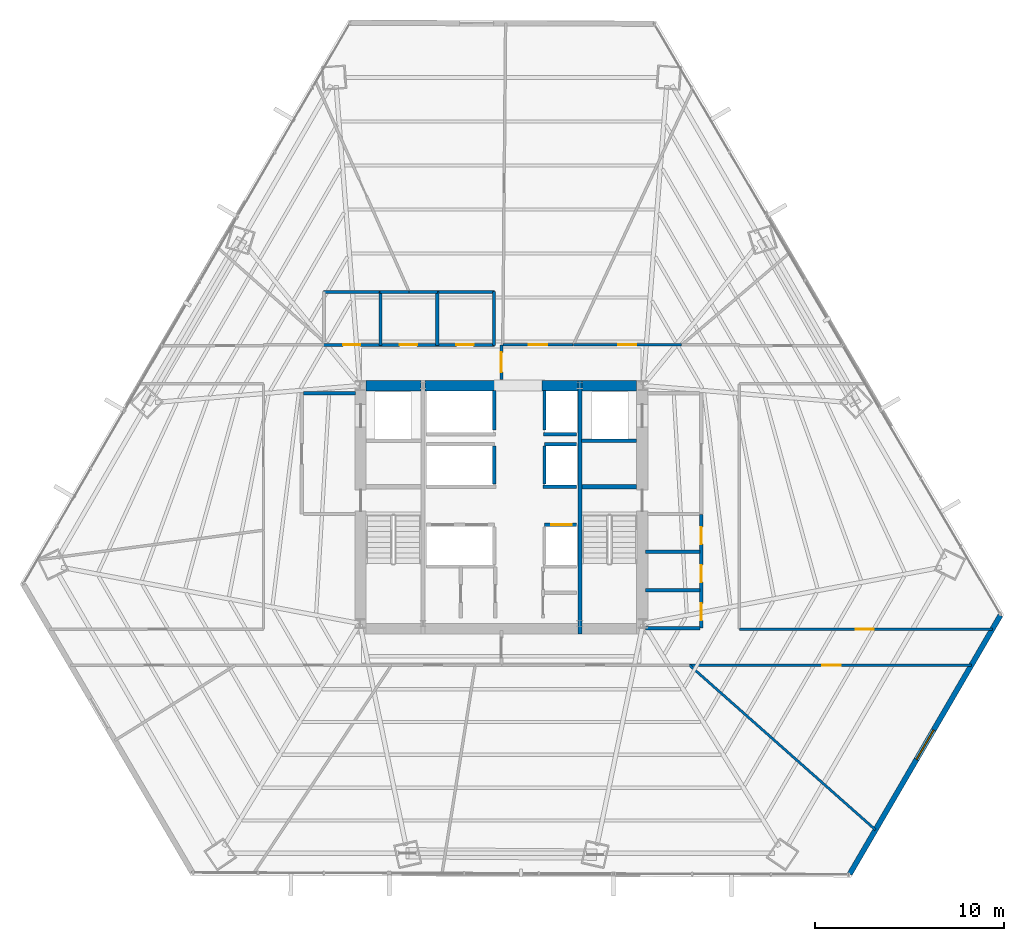
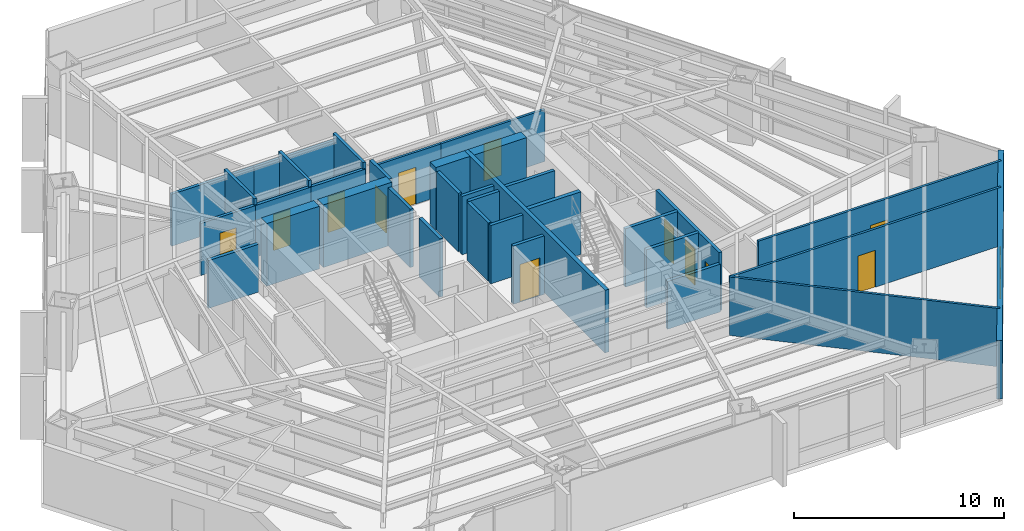
# One storey, part 33 of 37: 37 walls, 12 doors, 1 window, 13 openings.
"""IFC4 building model written with IfcOpenShell, lengths in metres."""

from ifc_helpers import new_model, si_unit, direction, frame, frame_2d, origin, place, context, subcontext, project, spatial, rectangle, extrude, material, layer, layer_set, type_object, element, fill, save


model = new_model("IFC4")

# Units and contexts
model_context = context("Model", 3, precision=1e-05, world=origin(), true_north=direction((0.0, 1.0)))
body_context = subcontext(model_context, "Body", "Model", "MODEL_VIEW")
ifc_project = project(units=[si_unit("LENGTHUNIT", "METRE"), si_unit("AREAUNIT", "SQUARE_METRE"), si_unit("VOLUMEUNIT", "CUBIC_METRE"), si_unit("PLANEANGLEUNIT", "RADIAN"), si_unit("MASSUNIT", "GRAM", prefix="KILO")], contexts=[model_context])

# Site, building, storey
site_placement = place(None, origin())
site = spatial("IfcSite", under=ifc_project, at=site_placement, CompositionType="ELEMENT")
building_placement = place(site_placement, origin())
building = spatial("IfcBuilding", under=site, at=building_placement, Name="Caelisora Broadcast Tower", CompositionType="ELEMENT")
storey_placement = place(building_placement, frame((0.0, 0.0, 45.85009765625)))
storey = spatial("IfcBuildingStorey", under=building, at=storey_placement, Name="L11", CompositionType="ELEMENT", Elevation=45.85009765625)

# Walls
ifc_material_1 = material(Name="Concrete 65 MPa (AS 3600 S65)", Category="concrete")
ifc_layer_1 = layer(ifc_material_1, 0.550048828125, Name="Concrete 65 MPa (AS 3600 S65)")
ifc_layer_set_1 = layer_set([ifc_layer_1], Name="Concrete 65 MPa (AS 3600 S65)")
wall_type_1 = type_object("IfcWallType", Name="CW4", PredefinedType="SHEAR", material=ifc_layer_set_1)
wall_1_placement = place(storey_placement, frame((30.840087890625, 30.0, 0.0), z_axis=(0.0, 0.0, 1.0), x_axis=(1.0, 0.0, 0.0)))
element("IfcWall", 1, at=wall_1_placement, inside=storey, type_object=wall_type_1, Name="L11 core shear wall CW4", PredefinedType="SHEAR", context=body_context, shape_type="SweptSolid", body=[
    extrude(rectangle(XDim=2.89990234375, YDim=0.550048828125, at=frame_2d((1.449951171875, 0.0))), origin(), (0.0, 0.0, 1.0), 3.64990234375),
])
wall_2_placement = place(storey_placement, frame((33.9599609375, 30.0, 0.0), z_axis=(0.0, 0.0, 1.0), x_axis=(1.0, 0.0, 0.0)))
element("IfcWall", 2, at=wall_2_placement, inside=storey, type_object=wall_type_1, Name="L11 core shear wall CW4", PredefinedType="SHEAR", context=body_context, shape_type="SweptSolid", body=[
    extrude(rectangle(XDim=3.780029296875, YDim=0.550048828125, at=frame_2d((1.89013671875, 0.0))), origin(), (0.0, 0.0, 1.0), 3.64990234375),
])
wall_3_placement = place(storey_placement, frame((40.159912109375, 30.0, 0.0), z_axis=(0.0, 0.0, 1.0), x_axis=(1.0, 0.0, 0.0)))
element("IfcWall", 3, at=wall_3_placement, inside=storey, type_object=wall_type_1, Name="L11 core shear wall CW4", PredefinedType="SHEAR", context=body_context, shape_type="SweptSolid", body=[
    extrude(rectangle(XDim=1.880126953125, YDim=0.550048828125, at=frame_2d((0.93994140625, 0.0))), origin(), (0.0, 0.0, 1.0), 3.64990234375),
])
wall_4_placement = place(storey_placement, frame((42.260009765625, 30.0, 0.0), z_axis=(0.0, 0.0, 1.0), x_axis=(1.0, 0.0, 0.0)))
element("IfcWall", 4, at=wall_4_placement, inside=storey, type_object=wall_type_1, Name="L11 core shear wall CW4", PredefinedType="SHEAR", context=body_context, shape_type="SweptSolid", body=[
    extrude(rectangle(XDim=2.89990234375, YDim=0.550048828125, at=frame_2d((1.449951171875, 0.0))), origin(), (0.0, 0.0, 1.0), 3.64990234375),
])
ifc_material_2 = material(Name="Concrete 50 MPa (AS 3600 S50)", Category="concrete")
ifc_layer_2 = layer(ifc_material_2, 0.219970703125, Name="Concrete 50 MPa (AS 3600 S50)")
ifc_layer_set_2 = layer_set([ifc_layer_2], Name="Concrete 50 MPa (AS 3600 S50)")
wall_type_2 = type_object("IfcWallType", Name="CW7", PredefinedType="SHEAR", material=ifc_layer_set_2)
wall_5_placement = place(storey_placement, frame((42.14990234375, 16.85009765625, 0.0), z_axis=(0.0, 0.0, 1.0), x_axis=(0.0, 1.0, 0.0)))
element("IfcWall", 5, at=wall_5_placement, inside=storey, type_object=wall_type_2, Name="L11 core shear wall CW7", PredefinedType="SHEAR", context=body_context, shape_type="SweptSolid", body=[
    extrude(rectangle(XDim=13.4248046875, YDim=0.219970703125, at=frame_2d((6.71240234375, 0.0))), origin(), (0.0, 0.0, 1.0), 3.64990234375),
])
wall_6_placement = place(storey_placement, frame((42.260009765625, 24.639892578125, 0.0), z_axis=(0.0, 0.0, 1.0), x_axis=(1.0, 0.0, 0.0)))
element("IfcWall", 6, at=wall_6_placement, inside=storey, type_object=wall_type_2, Name="L11 core shear wall CW7", PredefinedType="SHEAR", context=body_context, shape_type="SweptSolid", body=[
    extrude(rectangle(XDim=2.89990234375, YDim=0.219970703125, at=frame_2d((1.449951171875, 0.0))), origin(), (0.0, 0.0, 1.0), 3.64990234375),
])

# Wall, opening, window
ifc_material_3 = material(Name="Insulated Terracotta Spandrel Wall System", Category="masonry")
ifc_layer_3 = layer(ifc_material_3, 0.280029296875, Name="Insulated Terracotta Spandrel Wall System")
ifc_layer_set_3 = layer_set([ifc_layer_3], Name="Insulated Terracotta Spandrel Wall System")
wall_type_3 = type_object("IfcWallType", Name="EW1", PredefinedType="STANDARD", material=ifc_layer_set_3)
wall_7_placement = place(storey_placement, frame((64.4208984375, 17.836181640625, 0.0), z_axis=(0.0, 0.0, 1.0), x_axis=(-0.503265705676, -0.864131719989, 0.0)))
wall_7 = element("IfcWall", 7, at=wall_7_placement, inside=storey, type_object=wall_type_3, Name="L11 exterior envelope wall EW1", PredefinedType="STANDARD", context=body_context, shape_type="SweptSolid", body=[
    extrude(rectangle(XDim=15.85205078125, YDim=0.280029296875, at=frame_2d((7.926025390625, 0.0))), origin(), (0.0, 0.0, 1.0), 3.39990234375),
])
opening_1_placement = place(wall_7_placement, frame((7.030029296875, 0.0, 0.89990234375)))
opening_1 = element("IfcOpeningElement", 8, at=opening_1_placement, cuts=wall_7, Name="Opening W01", PredefinedType="OPENING", context=body_context, shape_type="SweptSolid", body=[
    extrude(rectangle(XDim=1.800048828125, YDim=1.800048828125, at=frame_2d((0.89990234375, 0.89990234375))), frame((0.0, 0.152099609375, 0.0), z_axis=(0.0, -1.0, 0.0), x_axis=(1.0, 0.0, 0.0)), (0.0, 0.0, 1.0), 0.303955078125),
])
ifc_material_4 = material(Name="Double Glazed Terracotta-Framed Vision Window", Category="glass")
window_type = type_object("IfcWindowType", Name="W01", PartitioningType="SINGLE_PANEL", PredefinedType="WINDOW", material=ifc_material_4)
window_placement = place(opening_1_placement, origin())
window = element("IfcWindow", 9, at=window_placement, inside=storey, type_object=window_type, Name="L11 window W01 (L11-WN-CH0)", OverallHeight=1.800048828125, OverallWidth=1.800048828125, PartitioningType="SINGLE_PANEL", PredefinedType="WINDOW", context=body_context, shape_type="SweptSolid", body=[
    extrude(rectangle(XDim=1.800048828125, YDim=1.800048828125, at=frame_2d((0.89990234375, 0.89990234375))), frame((0.0, 0.030029296875, 0.0), z_axis=(0.0, -1.0, 0.0), x_axis=(1.0, 0.0, 0.0)), (0.0, 0.0, 1.0), 0.06005859375),
])
fill(opening_1, window)

# Wall, opening, door
ifc_material_5 = material(Name="Fire-Rated Gypsum Shaft and Compartment Wall", Category="gypsum")
ifc_layer_4 = layer(ifc_material_5, 0.179931640625, Name="Fire-Rated Gypsum Shaft and Compartment Wall")
ifc_layer_set_4 = layer_set([ifc_layer_4], Name="Fire-Rated Gypsum Shaft and Compartment Wall")
wall_type_4 = type_object("IfcWallType", Name="PW2", PredefinedType="PARTITIONING", material=ifc_layer_set_4)
wall_8_placement = place(storey_placement, frame((40.280029296875, 22.6201171875, 0.0), z_axis=(0.0, 0.0, 1.0), x_axis=(1.0, 0.0, 0.0)))
wall_8 = element("IfcWall", 10, at=wall_8_placement, inside=storey, type_object=wall_type_4, Name="L11 fire compartment wall PW2", PredefinedType="PARTITIONING", context=body_context, shape_type="SweptSolid", body=[
    extrude(rectangle(XDim=1.699951171875, YDim=0.179931640625, at=frame_2d((0.85009765625, 0.0))), origin(), (0.0, 0.0, 1.0), 3.39990234375),
])
opening_2_placement = place(wall_8_placement, frame((0.35009765625, 0.0, 0.0)))
opening_2 = element("IfcOpeningElement", 11, at=opening_2_placement, cuts=wall_8, Name="Opening LD01", PredefinedType="OPENING", context=body_context, shape_type="SweptSolid", body=[
    extrude(rectangle(XDim=1.10009765625, YDim=2.199951171875, at=frame_2d((0.550048828125, 1.10009765625))), frame((0.0, 0.10205078125, 0.0), z_axis=(0.0, -1.0, 0.0), x_axis=(1.0, 0.0, 0.0)), (0.0, 0.0, 1.0), 0.203857421875),
])
ifc_material_6 = material(Name="Stainless Steel Centre-Parting Lift Landing Door", Category="steel")
door_type_1 = type_object("IfcDoorType", Name="LD01", OperationType="NOTDEFINED", PredefinedType="DOOR", material=ifc_material_6)
door_1_placement = place(opening_2_placement, origin())
door_1 = element("IfcDoor", 12, at=door_1_placement, inside=storey, type_object=door_type_1, Name="L11 door LD01 (L11-LD-PLL3)", OperationType="SLIDING_TO_LEFT", OverallHeight=2.199951171875, OverallWidth=1.10009765625, PredefinedType="DOOR", context=body_context, shape_type="SweptSolid", body=[
    extrude(rectangle(XDim=1.10009765625, YDim=2.199951171875, at=frame_2d((0.550048828125, 1.10009765625))), frame((0.0, 0.02490234375, 0.0), z_axis=(0.0, -1.0, 0.0), x_axis=(1.0, 0.0, 0.0)), (0.0, 0.0, 1.0), 0.050048828125),
])
fill(opening_2, door_1)

# Walls
wall_9_placement = place(storey_placement, frame((40.280029296875, 26.89990234375, 0.0), z_axis=(0.0, 0.0, 1.0), x_axis=(1.0, 0.0, 0.0)))
element("IfcWall", 13, at=wall_9_placement, inside=storey, type_object=wall_type_4, Name="L11 fire compartment wall PW2", PredefinedType="PARTITIONING", context=body_context, shape_type="SweptSolid", body=[
    extrude(rectangle(XDim=1.699951171875, YDim=0.179931640625, at=frame_2d((0.85009765625, 0.0))), origin(), (0.0, 0.0, 1.0), 3.39990234375),
])
for number, where, z_axis, x_axis, name in (
    (14, (37.6201171875, 24.800048828125, 0.0), (0.0, 0.0, 1.0), (0.0, 1.0, 0.0), "L11 fire compartment wall PW2"),
    (15, (40.280029296875, 24.800048828125, 0.0), (0.0, 0.0, 1.0), (0.0, 1.0, 0.0), "L11 fire compartment wall PW2"),
):
    element("IfcWall", number, at=place(storey_placement, frame(where, z_axis=z_axis, x_axis=x_axis)), inside=storey, type_object=wall_type_4, Name=name, PredefinedType="PARTITIONING", context=body_context, shape_type="SweptSolid", body=[
        extrude(rectangle(XDim=2.0, YDim=0.179931640625, at=frame_2d((1.0, 0.0))), origin(), (0.0, 0.0, 1.0), 3.39990234375),
    ])
wall_10_placement = place(storey_placement, frame((40.199951171875, 24.639892578125, 0.0), z_axis=(0.0, 0.0, 1.0), x_axis=(1.0, 0.0, 0.0)))
element("IfcWall", 16, at=wall_10_placement, inside=storey, type_object=wall_type_4, Name="L11 fire compartment wall PW2", PredefinedType="PARTITIONING", context=body_context, shape_type="SweptSolid", body=[
    extrude(rectangle(XDim=1.780029296875, YDim=0.179931640625, at=frame_2d((0.89013671875, 0.0))), origin(), (0.0, 0.0, 1.0), 3.39990234375),
])
wall_11_placement = place(storey_placement, frame((40.219970703125, 27.419921875, 0.0), z_axis=(0.0, 0.0, 1.0), x_axis=(1.0, 0.0, 0.0)))
element("IfcWall", 17, at=wall_11_placement, inside=storey, type_object=wall_type_4, Name="L11 fire compartment wall PW2", PredefinedType="PARTITIONING", context=body_context, shape_type="SweptSolid", body=[
    extrude(rectangle(XDim=1.760009765625, YDim=0.179931640625, at=frame_2d((0.8798828125, 0.0))), origin(), (0.0, 0.0, 1.0), 3.39990234375),
])
for number, where, z_axis, x_axis, name in (
    (18, (37.6201171875, 27.639892578125, 0.0), (0.0, 0.0, 1.0), (0.0, 1.0, 0.0), "L11 fire compartment wall PW2"),
    (19, (40.280029296875, 27.639892578125, 0.0), (0.0, 0.0, 1.0), (0.0, 1.0, 0.0), "L11 fire compartment wall PW2"),
):
    element("IfcWall", number, at=place(storey_placement, frame(where, z_axis=z_axis, x_axis=x_axis)), inside=storey, type_object=wall_type_4, Name=name, PredefinedType="PARTITIONING", context=body_context, shape_type="SweptSolid", body=[
        extrude(rectangle(XDim=2.110107421875, YDim=0.179931640625, at=frame_2d((1.05517578125, 0.0))), origin(), (0.0, 0.0, 1.0), 3.39990234375),
    ])
wall_12_placement = place(storey_placement, frame((27.52001953125, 29.60009765625, 0.0), z_axis=(0.0, 0.0, 1.0), x_axis=(1.0, 0.0, 0.0)))
element("IfcWall", 20, at=wall_12_placement, inside=storey, type_object=wall_type_4, Name="L11 fire compartment wall PW2", PredefinedType="PARTITIONING", context=body_context, shape_type="SweptSolid", body=[
    extrude(rectangle(XDim=2.760009765625, YDim=0.179931640625, at=frame_2d((1.3798828125, 0.0))), origin(), (0.0, 0.0, 1.0), 2.78271484375),
])
for number, where, z_axis, x_axis, name in (
    (21, (42.239990234375, 27.070068359375, 0.0), (0.0, 0.0, 1.0), (1.0, 0.0, 0.0), "L11 fire compartment wall PW2"),
    (22, (45.6201171875, 19.169921875, 0.0), (0.0, 0.0, 1.0), (1.0, 0.0, 0.0), "L11 fire compartment wall PW2"),
    (23, (45.6201171875, 21.18994140625, 0.0), (0.0, 0.0, 1.0), (1.0, 0.0, 0.0), "L11 fire compartment wall PW2"),
):
    element("IfcWall", number, at=place(storey_placement, frame(where, z_axis=z_axis, x_axis=x_axis)), inside=storey, type_object=wall_type_4, Name=name, PredefinedType="PARTITIONING", context=body_context, shape_type="SweptSolid", body=[
        extrude(rectangle(XDim=2.89990234375, YDim=0.179931640625, at=frame_2d((1.449951171875, 0.0))), origin(), (0.0, 0.0, 1.0), 3.39990234375),
    ])

# Wall, openings, doors
wall_13_placement = place(storey_placement, frame((48.580078125, 17.14990234375, 0.0), z_axis=(0.0, 0.0, 1.0), x_axis=(0.0, 1.0, 0.0)))
wall_13 = element("IfcWall", 24, at=wall_13_placement, inside=storey, type_object=wall_type_4, Name="L11 fire compartment wall PW2", PredefinedType="PARTITIONING", context=body_context, shape_type="SweptSolid", body=[
    extrude(rectangle(XDim=6.030029296875, YDim=0.179931640625, at=frame_2d((3.01513671875, 0.0))), origin(), (0.0, 0.0, 1.0), 3.39990234375),
])
opening_3_placement = place(wall_13_placement, frame((0.419921875, 0.0, 0.0)))
opening_3 = element("IfcOpeningElement", 25, at=opening_3_placement, cuts=wall_13, Name="Opening FD03", PredefinedType="OPENING", context=body_context, shape_type="SweptSolid", body=[
    extrude(rectangle(XDim=0.89990234375, YDim=2.10009765625, at=frame_2d((0.449951171875, 1.050048828125))), frame((0.0, 0.10205078125, 0.0), z_axis=(0.0, -1.0, 0.0), x_axis=(1.0, 0.0, 0.0)), (0.0, 0.0, 1.0), 0.203857421875),
])
opening_4_placement = place(wall_13_placement, frame((2.43994140625, 0.0, 0.0)))
opening_4 = element("IfcOpeningElement", 26, at=opening_4_placement, cuts=wall_13, Name="Opening FD03", PredefinedType="OPENING", context=body_context, shape_type="SweptSolid", body=[
    extrude(rectangle(XDim=0.89990234375, YDim=2.10009765625, at=frame_2d((0.449951171875, 1.050048828125))), frame((0.0, 0.10205078125, 0.0), z_axis=(0.0, -1.0, 0.0), x_axis=(1.0, 0.0, 0.0)), (0.0, 0.0, 1.0), 0.203857421875),
])
opening_5_placement = place(wall_13_placement, frame((4.4599609375, 0.0, 0.0)))
opening_5 = element("IfcOpeningElement", 27, at=opening_5_placement, cuts=wall_13, Name="Opening FD03", PredefinedType="OPENING", context=body_context, shape_type="SweptSolid", body=[
    extrude(rectangle(XDim=0.89990234375, YDim=2.10009765625, at=frame_2d((0.449951171875, 1.050048828125))), frame((0.0, 0.10205078125, 0.0), z_axis=(0.0, -1.0, 0.0), x_axis=(1.0, 0.0, 0.0)), (0.0, 0.0, 1.0), 0.203857421875),
])
ifc_material_7 = material(Name="Single-Leaf Steel Riser Fire Access Door", Category="steel")
door_type_2 = type_object("IfcDoorType", Name="FD03", OperationType="NOTDEFINED", PredefinedType="DOOR", material=ifc_material_7)
door_2_placement = place(opening_3_placement, origin())
door_2 = element("IfcDoor", 28, at=door_2_placement, inside=storey, type_object=door_type_2, Name="L11 door FD03 (L11-DR-P17D1)", OperationType="SINGLE_SWING_LEFT", OverallHeight=2.10009765625, OverallWidth=0.89990234375, PredefinedType="DOOR", context=body_context, shape_type="SweptSolid", body=[
    extrude(rectangle(XDim=0.89990234375, YDim=2.10009765625, at=frame_2d((0.449951171875, 1.050048828125))), frame((0.0, 0.02490234375, 0.0), z_axis=(0.0, -1.0, 0.0), x_axis=(1.0, 0.0, 0.0)), (0.0, 0.0, 1.0), 0.050048828125),
])
fill(opening_3, door_2)
door_3_placement = place(opening_4_placement, origin())
door_3 = element("IfcDoor", 29, at=door_3_placement, inside=storey, type_object=door_type_2, Name="L11 door FD03 (L11-DR-P17D2)", OperationType="SINGLE_SWING_RIGHT", OverallHeight=2.10009765625, OverallWidth=0.89990234375, PredefinedType="DOOR", context=body_context, shape_type="SweptSolid", body=[
    extrude(rectangle(XDim=0.89990234375, YDim=2.10009765625, at=frame_2d((0.449951171875, 1.050048828125))), frame((0.0, 0.02490234375, 0.0), z_axis=(0.0, -1.0, 0.0), x_axis=(1.0, 0.0, 0.0)), (0.0, 0.0, 1.0), 0.050048828125),
])
fill(opening_4, door_3)
door_4_placement = place(opening_5_placement, origin())
door_4 = element("IfcDoor", 30, at=door_4_placement, inside=storey, type_object=door_type_2, Name="L11 door FD03 (L11-DR-P17D3)", OperationType="SINGLE_SWING_LEFT", OverallHeight=2.10009765625, OverallWidth=0.89990234375, PredefinedType="DOOR", context=body_context, shape_type="SweptSolid", body=[
    extrude(rectangle(XDim=0.89990234375, YDim=2.10009765625, at=frame_2d((0.449951171875, 1.050048828125))), frame((0.0, 0.02490234375, 0.0), z_axis=(0.0, -1.0, 0.0), x_axis=(1.0, 0.0, 0.0)), (0.0, 0.0, 1.0), 0.050048828125),
])
fill(opening_5, door_4)

# Wall
wall_14_placement = place(storey_placement, frame((45.6201171875, 17.14990234375, 0.0), z_axis=(0.0, 0.0, 1.0), x_axis=(1.0, 0.0, 0.0)))
element("IfcWall", 31, at=wall_14_placement, inside=storey, type_object=wall_type_4, Name="L11 fire compartment wall PW2", PredefinedType="PARTITIONING", context=body_context, shape_type="SweptSolid", body=[
    extrude(rectangle(XDim=2.89990234375, YDim=0.179931640625, at=frame_2d((1.449951171875, 0.0))), origin(), (0.0, 0.0, 1.0), 2.78271484375),
])

# Wall, opening, door
wall_15_placement = place(storey_placement, frame((38.0, 30.320068359375, 0.0), z_axis=(0.0, 0.0, 1.0), x_axis=(0.0, 1.0, 0.0)))
wall_15 = element("IfcWall", 32, at=wall_15_placement, inside=storey, type_object=wall_type_4, Name="L11 fire compartment wall PW2", PredefinedType="PARTITIONING", context=body_context, shape_type="SweptSolid", body=[
    extrude(rectangle(XDim=1.824951171875, YDim=0.179931640625, at=frame_2d((0.91259765625, 0.0))), origin(), (0.0, 0.0, 1.0), 3.39990234375),
])
opening_6_placement = place(wall_15_placement, frame((0.387939453125, 0.0, 0.0)))
opening_6 = element("IfcOpeningElement", 33, at=opening_6_placement, cuts=wall_15, Name="Opening FD02", PredefinedType="OPENING", context=body_context, shape_type="SweptSolid", body=[
    extrude(rectangle(XDim=1.050048828125, YDim=2.14990234375, at=frame_2d((0.52490234375, 1.074951171875))), frame((0.0, 0.10205078125, 0.0), z_axis=(0.0, -1.0, 0.0), x_axis=(1.0, 0.0, 0.0)), (0.0, 0.0, 1.0), 0.203857421875),
])
ifc_material_8 = material(Name="Single-Leaf Steel Fire Lobby Door", Category="steel")
door_type_3 = type_object("IfcDoorType", Name="FD02", OperationType="NOTDEFINED", PredefinedType="DOOR", material=ifc_material_8)
door_5_placement = place(opening_6_placement, origin())
door_5 = element("IfcDoor", 34, at=door_5_placement, inside=storey, type_object=door_type_3, Name="L11 door FD02 (L11-DR-P59D1)", OperationType="SINGLE_SWING_RIGHT", OverallHeight=2.14990234375, OverallWidth=1.050048828125, PredefinedType="DOOR", context=body_context, shape_type="SweptSolid", body=[
    extrude(rectangle(XDim=1.050048828125, YDim=2.14990234375, at=frame_2d((0.52490234375, 1.074951171875))), frame((0.0, 0.02490234375, 0.0), z_axis=(0.0, -1.0, 0.0), x_axis=(1.0, 0.0, 0.0)), (0.0, 0.0, 1.0), 0.050048828125),
])
fill(opening_6, door_5)

ifc_material_9 = material(Name="Acoustic Steel-Stud Plasterboard Partition", Category="gypsum")
ifc_layer_5 = layer(ifc_material_9, 0.1298828125, Name="Acoustic Steel-Stud Plasterboard Partition")
ifc_layer_set_5 = layer_set([ifc_layer_5], Name="Acoustic Steel-Stud Plasterboard Partition")
wall_type_5 = type_object("IfcWallType", Name="PW3", PredefinedType="PARTITIONING", material=ifc_layer_set_5)
wall_16_placement = place(storey_placement, frame((47.955078125, 15.199951171875, 0.0), z_axis=(0.0, 0.0, 1.0), x_axis=(1.0, 0.0, 0.0)))
wall_16 = element("IfcWall", 35, at=wall_16_placement, inside=storey, type_object=wall_type_5, Name="L11 internal partition PW3", PredefinedType="PARTITIONING", context=body_context, shape_type="SweptSolid", body=[
    extrude(rectangle(XDim=14.9365234375, YDim=0.1298828125, at=frame_2d((7.46826171875, 0.0))), origin(), (0.0, 0.0, 1.0), 3.39990234375),
])
opening_7_placement = place(wall_16_placement, frame((7.04296875, 0.0, 0.0)))
opening_7 = element("IfcOpeningElement", 36, at=opening_7_placement, cuts=wall_16, Name="Opening D01", PredefinedType="OPENING", context=body_context, shape_type="SweptSolid", body=[
    extrude(rectangle(XDim=0.9599609375, YDim=2.14990234375, at=frame_2d((0.47998046875, 1.074951171875))), frame((0.0, 0.076904296875, 0.0), z_axis=(0.0, -1.0, 0.0), x_axis=(1.0, 0.0, 0.0)), (0.0, 0.0, 1.0), 0.15380859375),
])
ifc_material_10 = material(Name="Solid-Core Timber Acoustic Office Door", Category="wood")
door_type_4 = type_object("IfcDoorType", Name="D01", OperationType="NOTDEFINED", PredefinedType="DOOR", material=ifc_material_10)
door_6_placement = place(opening_7_placement, origin())
door_6 = element("IfcDoor", 37, at=door_6_placement, inside=storey, type_object=door_type_4, Name="L11 door D01 (L11-DR-P32D1)", OperationType="SINGLE_SWING_RIGHT", OverallHeight=2.14990234375, OverallWidth=0.9599609375, PredefinedType="DOOR", context=body_context, shape_type="SweptSolid", body=[
    extrude(rectangle(XDim=0.9599609375, YDim=2.14990234375, at=frame_2d((0.47998046875, 1.074951171875))), frame((0.0, 0.02490234375, 0.0), z_axis=(0.0, -1.0, 0.0), x_axis=(1.0, 0.0, 0.0)), (0.0, 0.0, 1.0), 0.050048828125),
])
fill(opening_7, door_6)

wall_17_placement = place(storey_placement, frame((63.998291015625, 17.10009765625, 0.0), z_axis=(0.0, 0.0, 1.0), x_axis=(-1.0, 0.0, 0.0)))
wall_17 = element("IfcWall", 38, at=wall_17_placement, inside=storey, type_object=wall_type_5, Name="L11 internal partition PW3", PredefinedType="PARTITIONING", context=body_context, shape_type="SweptSolid", body=[
    extrude(rectangle(XDim=13.393310546875, YDim=0.1298828125, at=frame_2d((6.69677734375, 0.0))), origin(), (0.0, 0.0, 1.0), 3.39990234375),
])
opening_8_placement = place(wall_17_placement, frame((6.27294921875, 0.0, 0.0)))
opening_8 = element("IfcOpeningElement", 39, at=opening_8_placement, cuts=wall_17, Name="Opening D01", PredefinedType="OPENING", context=body_context, shape_type="SweptSolid", body=[
    extrude(rectangle(XDim=0.9599609375, YDim=2.14990234375, at=frame_2d((0.47998046875, 1.074951171875))), frame((0.0, 0.076904296875, 0.0), z_axis=(0.0, -1.0, 0.0), x_axis=(1.0, 0.0, 0.0)), (0.0, 0.0, 1.0), 0.15380859375),
])
door_7_placement = place(opening_8_placement, origin())
door_7 = element("IfcDoor", 40, at=door_7_placement, inside=storey, type_object=door_type_4, Name="L11 door D01 (L11-DR-P33D1)", OperationType="SINGLE_SWING_LEFT", OverallHeight=2.14990234375, OverallWidth=0.9599609375, PredefinedType="DOOR", context=body_context, shape_type="SweptSolid", body=[
    extrude(rectangle(XDim=0.9599609375, YDim=2.14990234375, at=frame_2d((0.47998046875, 1.074951171875))), frame((0.0, 0.02490234375, 0.0), z_axis=(0.0, -1.0, 0.0), x_axis=(1.0, 0.0, 0.0)), (0.0, 0.0, 1.0), 0.050048828125),
])
fill(opening_8, door_7)

# Wall
wall_18_placement = place(storey_placement, frame((47.9541015625, 15.197021484375, 0.0), z_axis=(0.0, 0.0, 1.0), x_axis=(0.748761772281, -0.6628392025, 0.0)))
element("IfcWall", 41, at=wall_18_placement, inside=storey, type_object=wall_type_5, Name="L11 internal partition PW3", PredefinedType="PARTITIONING", context=body_context, shape_type="SweptSolid", body=[
    extrude(rectangle(XDim=13.161376953125, YDim=0.1298828125, at=frame_2d((6.58056640625, 0.0))), origin(), (0.0, 0.0, 1.0), 3.39990234375),
])

# Wall, opening, door
wall_19_placement = place(storey_placement, frame((41.804931640625, 32.14990234375, 0.0), z_axis=(0.0, 0.0, 1.0), x_axis=(1.0, 0.0, 0.0)))
wall_19 = element("IfcWall", 42, at=wall_19_placement, inside=storey, type_object=wall_type_5, Name="L11 internal partition PW3", PredefinedType="PARTITIONING", context=body_context, shape_type="SweptSolid", body=[
    extrude(rectangle(XDim=5.72998046875, YDim=0.1298828125, at=frame_2d((2.864990234375, 0.0))), origin(), (0.0, 0.0, 1.0), 3.0263671875),
])
opening_9_placement = place(wall_19_placement, frame((2.385009765625, 0.0, 0.0)))
opening_9 = element("IfcOpeningElement", 43, at=opening_9_placement, cuts=wall_19, Name="Opening D01", PredefinedType="OPENING", context=body_context, shape_type="SweptSolid", body=[
    extrude(rectangle(XDim=0.9599609375, YDim=2.14990234375, at=frame_2d((0.47998046875, 1.074951171875))), frame((0.0, 0.076904296875, 0.0), z_axis=(0.0, -1.0, 0.0), x_axis=(1.0, 0.0, 0.0)), (0.0, 0.0, 1.0), 0.15380859375),
])
door_8_placement = place(opening_9_placement, origin())
door_8 = element("IfcDoor", 44, at=door_8_placement, inside=storey, type_object=door_type_4, Name="L11 door D01 (L11-DR-P50D1)", OperationType="SINGLE_SWING_RIGHT", OverallHeight=2.14990234375, OverallWidth=0.9599609375, PredefinedType="DOOR", context=body_context, shape_type="SweptSolid", body=[
    extrude(rectangle(XDim=0.9599609375, YDim=2.14990234375, at=frame_2d((0.47998046875, 1.074951171875))), frame((0.0, 0.02490234375, 0.0), z_axis=(0.0, -1.0, 0.0), x_axis=(1.0, 0.0, 0.0)), (0.0, 0.0, 1.0), 0.050048828125),
])
fill(opening_9, door_8)

wall_20_placement = place(storey_placement, frame((38.074951171875, 32.14990234375, 0.0), z_axis=(0.0, 0.0, 1.0), x_axis=(1.0, 0.0, 0.0)))
wall_20 = element("IfcWall", 45, at=wall_20_placement, inside=storey, type_object=wall_type_5, Name="L11 internal partition PW3", PredefinedType="PARTITIONING", context=body_context, shape_type="SweptSolid", body=[
    extrude(rectangle(XDim=3.719970703125, YDim=0.1298828125, at=frame_2d((1.85986328125, 0.0))), origin(), (0.0, 0.0, 1.0), 3.0263671875),
])
opening_10_placement = place(wall_20_placement, frame((1.3798828125, 0.0, 0.0)))
opening_10 = element("IfcOpeningElement", 46, at=opening_10_placement, cuts=wall_20, Name="Opening D01", PredefinedType="OPENING", context=body_context, shape_type="SweptSolid", body=[
    extrude(rectangle(XDim=0.9599609375, YDim=2.14990234375, at=frame_2d((0.47998046875, 1.074951171875))), frame((0.0, 0.076904296875, 0.0), z_axis=(0.0, -1.0, 0.0), x_axis=(1.0, 0.0, 0.0)), (0.0, 0.0, 1.0), 0.15380859375),
])
door_9_placement = place(opening_10_placement, origin())
door_9 = element("IfcDoor", 47, at=door_9_placement, inside=storey, type_object=door_type_4, Name="L11 door D01 (L11-DR-P55D1)", OperationType="SINGLE_SWING_RIGHT", OverallHeight=2.14990234375, OverallWidth=0.9599609375, PredefinedType="DOOR", context=body_context, shape_type="SweptSolid", body=[
    extrude(rectangle(XDim=0.9599609375, YDim=2.14990234375, at=frame_2d((0.47998046875, 1.074951171875))), frame((0.0, 0.02490234375, 0.0), z_axis=(0.0, -1.0, 0.0), x_axis=(1.0, 0.0, 0.0)), (0.0, 0.0, 1.0), 0.050048828125),
])
fill(opening_10, door_9)

ifc_material_11 = material(Name="Moisture-Resistant Wet Plumbing Service Wall", Category="gypsum")
ifc_layer_6 = layer(ifc_material_11, 0.159912109375, Name="Moisture-Resistant Wet Plumbing Service Wall")
ifc_layer_set_6 = layer_set([ifc_layer_6], Name="Moisture-Resistant Wet Plumbing Service Wall")
wall_type_6 = type_object("IfcWallType", Name="PW4", PredefinedType="PLUMBINGWALL", material=ifc_layer_set_6)
wall_21_placement = place(storey_placement, frame((28.574951171875, 32.14990234375, 0.0), z_axis=(0.0, 0.0, 1.0), x_axis=(1.0, 0.0, 0.0)))
wall_21 = element("IfcWall", 48, at=wall_21_placement, inside=storey, type_object=wall_type_6, Name="L11 wet plumbing wall PW4", PredefinedType="PLUMBINGWALL", context=body_context, shape_type="SweptSolid", body=[
    extrude(rectangle(XDim=3.050048828125, YDim=0.159912109375, at=frame_2d((1.52490234375, 0.0))), origin(), (0.0, 0.0, 1.0), 3.0263671875),
])
opening_11_placement = place(wall_21_placement, frame((1.034912109375, 0.0, 0.0)))
opening_11 = element("IfcOpeningElement", 49, at=opening_11_placement, cuts=wall_21, Name="Opening D03", PredefinedType="OPENING", context=body_context, shape_type="SweptSolid", body=[
    extrude(rectangle(XDim=0.919921875, YDim=2.10009765625, at=frame_2d((0.4599609375, 1.050048828125))), frame((0.0, 0.092041015625, 0.0), z_axis=(0.0, -1.0, 0.0), x_axis=(1.0, 0.0, 0.0)), (0.0, 0.0, 1.0), 0.183837890625),
])
ifc_material_12 = material(Name="Laminate Moisture-Resistant Amenity WC Door", Category="wood")
door_type_5 = type_object("IfcDoorType", Name="D03", OperationType="NOTDEFINED", PredefinedType="DOOR", material=ifc_material_12)
door_10_placement = place(opening_11_placement, origin())
door_10 = element("IfcDoor", 50, at=door_10_placement, inside=storey, type_object=door_type_5, Name="L11 door D03 (L11-DR-P19D1)", OperationType="SINGLE_SWING_RIGHT", OverallHeight=2.10009765625, OverallWidth=0.919921875, PredefinedType="DOOR", context=body_context, shape_type="SweptSolid", body=[
    extrude(rectangle(XDim=0.919921875, YDim=2.10009765625, at=frame_2d((0.4599609375, 1.050048828125))), frame((0.0, 0.02490234375, 0.0), z_axis=(0.0, -1.0, 0.0), x_axis=(1.0, 0.0, 0.0)), (0.0, 0.0, 1.0), 0.050048828125),
])
fill(opening_11, door_10)

wall_22_placement = place(storey_placement, frame((31.574951171875, 32.14990234375, 0.0), z_axis=(0.0, 0.0, 1.0), x_axis=(1.0, 0.0, 0.0)))
wall_22 = element("IfcWall", 51, at=wall_22_placement, inside=storey, type_object=wall_type_6, Name="L11 wet plumbing wall PW4", PredefinedType="PLUMBINGWALL", context=body_context, shape_type="SweptSolid", body=[
    extrude(rectangle(XDim=3.050048828125, YDim=0.159912109375, at=frame_2d((1.52490234375, 0.0))), origin(), (0.0, 0.0, 1.0), 3.0263671875),
])
opening_12_placement = place(wall_22_placement, frame((1.034912109375, 0.0, 0.0)))
opening_12 = element("IfcOpeningElement", 52, at=opening_12_placement, cuts=wall_22, Name="Opening D03", PredefinedType="OPENING", context=body_context, shape_type="SweptSolid", body=[
    extrude(rectangle(XDim=0.919921875, YDim=2.10009765625, at=frame_2d((0.4599609375, 1.050048828125))), frame((0.0, 0.092041015625, 0.0), z_axis=(0.0, -1.0, 0.0), x_axis=(1.0, 0.0, 0.0)), (0.0, 0.0, 1.0), 0.183837890625),
])
door_11_placement = place(opening_12_placement, origin())
door_11 = element("IfcDoor", 53, at=door_11_placement, inside=storey, type_object=door_type_5, Name="L11 door D03 (L11-DR-P20D1)", OperationType="SINGLE_SWING_LEFT", OverallHeight=2.10009765625, OverallWidth=0.919921875, PredefinedType="DOOR", context=body_context, shape_type="SweptSolid", body=[
    extrude(rectangle(XDim=0.919921875, YDim=2.10009765625, at=frame_2d((0.4599609375, 1.050048828125))), frame((0.0, 0.02490234375, 0.0), z_axis=(0.0, -1.0, 0.0), x_axis=(1.0, 0.0, 0.0)), (0.0, 0.0, 1.0), 0.050048828125),
])
fill(opening_12, door_11)

wall_23_placement = place(storey_placement, frame((34.574951171875, 32.14990234375, 0.0), z_axis=(0.0, 0.0, 1.0), x_axis=(1.0, 0.0, 0.0)))
wall_23 = element("IfcWall", 54, at=wall_23_placement, inside=storey, type_object=wall_type_6, Name="L11 wet plumbing wall PW4", PredefinedType="PLUMBINGWALL", context=body_context, shape_type="SweptSolid", body=[
    extrude(rectangle(XDim=3.050048828125, YDim=0.159912109375, at=frame_2d((1.52490234375, 0.0))), origin(), (0.0, 0.0, 1.0), 3.0263671875),
])
opening_13_placement = place(wall_23_placement, frame((1.034912109375, 0.0, 0.0)))
opening_13 = element("IfcOpeningElement", 55, at=opening_13_placement, cuts=wall_23, Name="Opening D03", PredefinedType="OPENING", context=body_context, shape_type="SweptSolid", body=[
    extrude(rectangle(XDim=0.919921875, YDim=2.10009765625, at=frame_2d((0.4599609375, 1.050048828125))), frame((0.0, 0.092041015625, 0.0), z_axis=(0.0, -1.0, 0.0), x_axis=(1.0, 0.0, 0.0)), (0.0, 0.0, 1.0), 0.183837890625),
])
door_12_placement = place(opening_13_placement, origin())
door_12 = element("IfcDoor", 56, at=door_12_placement, inside=storey, type_object=door_type_5, Name="L11 door D03 (L11-DR-P21D1)", OperationType="SINGLE_SWING_RIGHT", OverallHeight=2.10009765625, OverallWidth=0.919921875, PredefinedType="DOOR", context=body_context, shape_type="SweptSolid", body=[
    extrude(rectangle(XDim=0.919921875, YDim=2.10009765625, at=frame_2d((0.4599609375, 1.050048828125))), frame((0.0, 0.02490234375, 0.0), z_axis=(0.0, -1.0, 0.0), x_axis=(1.0, 0.0, 0.0)), (0.0, 0.0, 1.0), 0.050048828125),
])
fill(opening_13, door_12)

# Walls
for number, where, z_axis, x_axis, name in (
    (57, (28.574951171875, 34.949951171875, 0.0), (0.0, 0.0, 1.0), (1.0, 0.0, 0.0), "L11 wet plumbing wall PW4"),
    (58, (37.625, 34.949951171875, 0.0), (0.0, 0.0, 1.0), (-1.0, 0.0, 0.0), "L11 wet plumbing wall PW4"),
):
    element("IfcWall", number, at=place(storey_placement, frame(where, z_axis=z_axis, x_axis=x_axis)), inside=storey, type_object=wall_type_6, Name=name, PredefinedType="PLUMBINGWALL", context=body_context, shape_type="SweptSolid", body=[
        extrude(rectangle(XDim=3.050048828125, YDim=0.159912109375, at=frame_2d((1.52490234375, 0.0))), origin(), (0.0, 0.0, 1.0), 3.0263671875),
    ])
for number, where, z_axis, x_axis, name in (
    (59, (31.60009765625, 32.125, 0.0), (0.0, 0.0, 1.0), (0.0, 1.0, 0.0), "L11 wet plumbing wall PW4"),
    (60, (34.60009765625, 32.125, 0.0), (0.0, 0.0, 1.0), (0.0, 1.0, 0.0), "L11 wet plumbing wall PW4"),
    (61, (37.60009765625, 32.125, 0.0), (0.0, 0.0, 1.0), (0.0, 1.0, 0.0), "L11 wet plumbing wall PW4"),
):
    element("IfcWall", number, at=place(storey_placement, frame(where, z_axis=z_axis, x_axis=x_axis)), inside=storey, type_object=wall_type_6, Name=name, PredefinedType="PLUMBINGWALL", context=body_context, shape_type="SweptSolid", body=[
        extrude(rectangle(XDim=2.85009765625, YDim=0.159912109375, at=frame_2d((1.425048828125, 0.0))), origin(), (0.0, 0.0, 1.0), 3.39990234375),
    ])
wall_24_placement = place(storey_placement, frame((31.574951171875, 34.949951171875, 0.0), z_axis=(0.0, 0.0, 1.0), x_axis=(1.0, 0.0, 0.0)))
element("IfcWall", 62, at=wall_24_placement, inside=storey, type_object=wall_type_6, Name="L11 wet plumbing wall PW4", PredefinedType="PLUMBINGWALL", context=body_context, shape_type="SweptSolid", body=[
    extrude(rectangle(XDim=1.570068359375, YDim=0.159912109375, at=frame_2d((0.78515625, 0.0))), origin(), (0.0, 0.0, 1.0), 3.0263671875),
])
wall_25_placement = place(storey_placement, frame((33.094970703125, 34.949951171875, 0.0), z_axis=(0.0, 0.0, 1.0), x_axis=(1.0, 0.0, 0.0)))
element("IfcWall", 63, at=wall_25_placement, inside=storey, type_object=wall_type_6, Name="L11 wet plumbing wall PW4", PredefinedType="PLUMBINGWALL", context=body_context, shape_type="SweptSolid", body=[
    extrude(rectangle(XDim=1.530029296875, YDim=0.159912109375, at=frame_2d((0.76513671875, 0.0))), origin(), (0.0, 0.0, 1.0), 3.0263671875),
])

save(model, "model.ifc")
